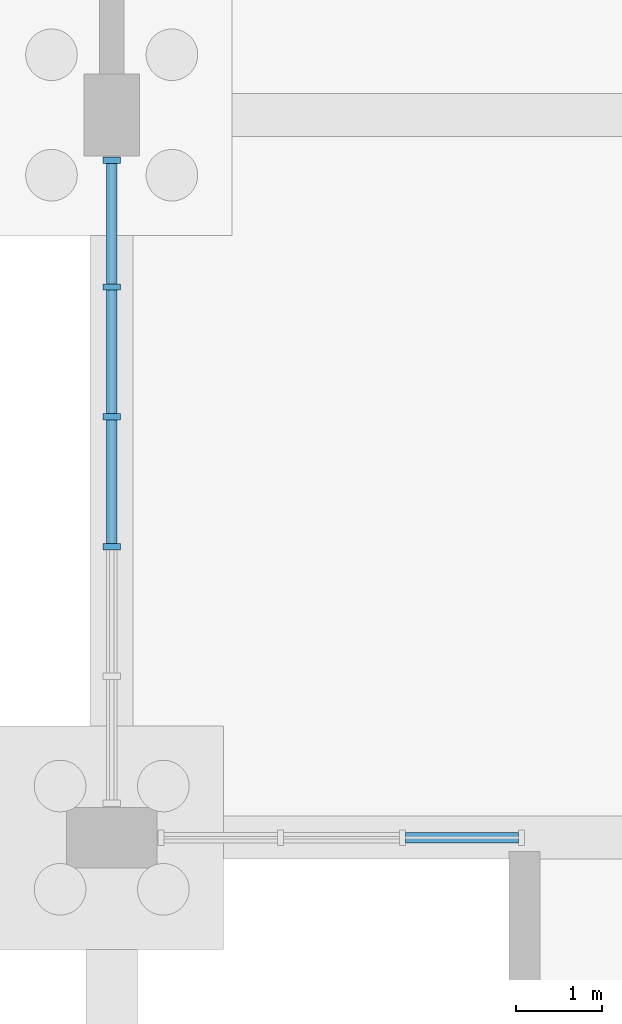
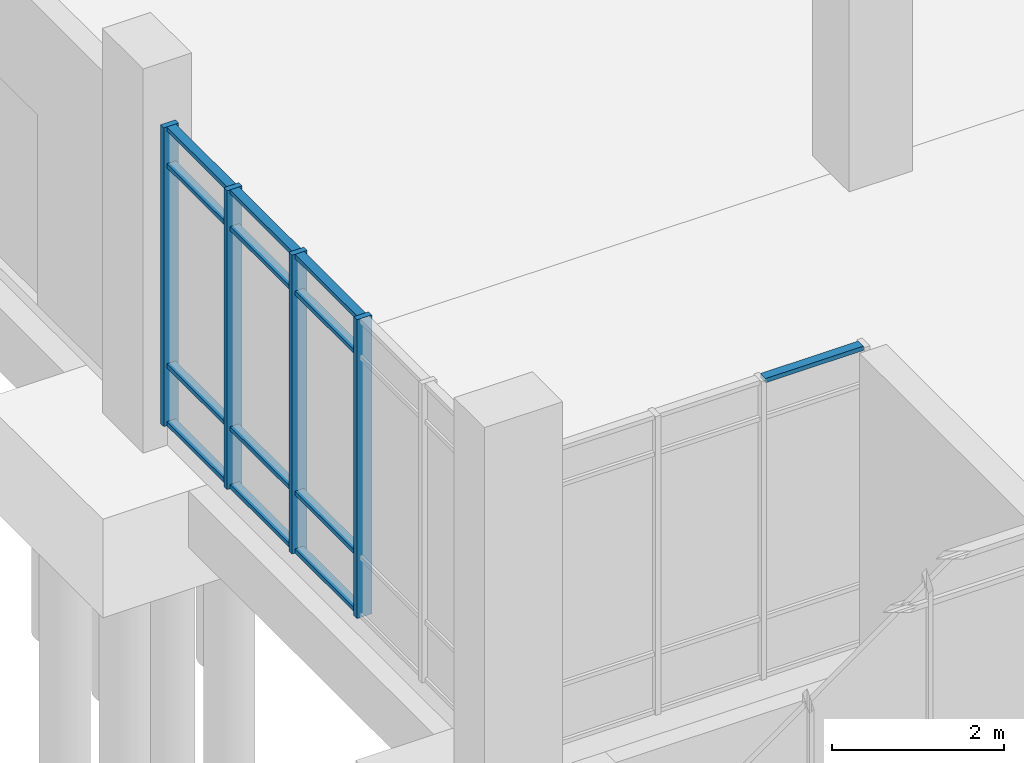
# One storey, part 37 of 136: 17 members, 2 elements without a shape of their own.
"""IFC4 building model written with IfcOpenShell, lengths in metres."""

from ifc_helpers import new_model, si_unit, direction, frame, origin, origin_2d, place, context, subcontext, project, spatial, rectangle, extrude, material, material_profile, profile_set, type_object, element, aggregate, save


model = new_model("IFC4")

# Units and contexts
model_context = context("Model", 3, precision=1e-05, world=origin(), true_north=direction((0.0, 1.0)))
body_context = subcontext(model_context, "Body", "Model", "MODEL_VIEW")
ifc_project = project(units=[si_unit("LENGTHUNIT", "METRE"), si_unit("AREAUNIT", "SQUARE_METRE"), si_unit("VOLUMEUNIT", "CUBIC_METRE"), si_unit("PLANEANGLEUNIT", "RADIAN"), si_unit("MASSUNIT", "GRAM", prefix="KILO")], contexts=[model_context])

# Site, building, storey
site_placement = place(None, origin())
site = spatial("IfcSite", under=ifc_project, at=site_placement, CompositionType="ELEMENT")
building_placement = place(site_placement, origin())
building = spatial("IfcBuilding", under=site, at=building_placement, Name="Oolite Switchyard Hospital", CompositionType="ELEMENT")
storey_placement = place(building_placement, origin())
storey = spatial("IfcBuildingStorey", under=building, at=storey_placement, Name="L00", CompositionType="ELEMENT", Elevation=0.0)

# Curtain wall, members
ifc_material_1 = material(Name="Thermally broken aluminum frame with laminated impact glazing", Category="aluminium")
curtain_wall_type = type_object("IfcCurtainWallType", Name="CW-UNIT-84X51", PredefinedType="USERDEFINED", material=ifc_material_1)
curtain_wall_1_placement = place(storey_placement, origin())
curtain_wall_1 = element("IfcCurtainWall", 1, at=curtain_wall_1_placement, inside=storey, type_object=curtain_wall_type, Name="L00 Unitised Curtain Wall 56", ObjectType="UNITISED", PredefinedType="USERDEFINED")
ifc_material_2 = material(Name="Aluminium 6063-T6", Category="aluminium")
ifc_material_profile_1 = material_profile(ifc_material_2, rectangle(XDim=0.199951171875, YDim=0.074951171875, at=origin_2d()), Name="CWM75X200")
ifc_profile_set_1 = profile_set([ifc_material_profile_1], Name="Aluminium 6063-T6")
member_type_1 = type_object("IfcMemberType", Name="CW-MUL-260", PredefinedType="MULLION", material=ifc_profile_set_1)
member_1_placement = place(storey_placement, frame((0.0, 87.383056640625, 0.0), z_axis=(0.0, 0.0, 1.0), x_axis=(-1.0, 0.0, 0.0)))
member_1 = element("IfcMember", 2, at=member_1_placement, type_object=member_type_1, Name="CW-06 mullion 3", PredefinedType="MULLION", context=body_context, shape_type="SweptSolid", body=[
    extrude(rectangle(XDim=0.199951171875, YDim=0.074951171875, at=origin_2d()), origin(), (0.0, 0.0, 1.0), 4.239990234375),
])
member_2_placement = place(storey_placement, frame((0.0, 88.89208984375, 0.0), z_axis=(0.0, 0.0, 1.0), x_axis=(-1.0, 0.0, 0.0)))
member_2 = element("IfcMember", 3, at=member_2_placement, type_object=member_type_1, Name="CW-06 mullion 4", PredefinedType="MULLION", context=body_context, shape_type="SweptSolid", body=[
    extrude(rectangle(XDim=0.199951171875, YDim=0.074951171875, at=origin_2d()), origin(), (0.0, 0.0, 1.0), 4.239990234375),
])
member_3_placement = place(storey_placement, frame((0.0, 90.40087890625, 0.0), z_axis=(0.0, 0.0, 1.0), x_axis=(-1.0, 0.0, 0.0)))
member_3 = element("IfcMember", 4, at=member_3_placement, type_object=member_type_1, Name="CW-06 mullion 5", PredefinedType="MULLION", context=body_context, shape_type="SweptSolid", body=[
    extrude(rectangle(XDim=0.199951171875, YDim=0.074951171875, at=origin_2d()), origin(), (0.0, 0.0, 1.0), 4.239990234375),
])
member_4_placement = place(storey_placement, frame((0.0, 91.87255859375, 0.0), z_axis=(0.0, 0.0, 1.0), x_axis=(-1.0, 0.0, 0.0)))
member_4 = element("IfcMember", 5, at=member_4_placement, type_object=member_type_1, Name="CW-06 mullion 6", PredefinedType="MULLION", context=body_context, shape_type="SweptSolid", body=[
    extrude(rectangle(XDim=0.199951171875, YDim=0.074951171875, at=origin_2d()), origin(), (0.0, 0.0, 1.0), 4.239990234375),
])

# Curtain wall, member
curtain_wall_2_placement = place(storey_placement, origin())
curtain_wall_2 = element("IfcCurtainWall", 6, at=curtain_wall_2_placement, inside=storey, type_object=curtain_wall_type, Name="L00 Unitised Curtain Wall 28", ObjectType="UNITISED", PredefinedType="USERDEFINED")
ifc_material_profile_2 = material_profile(ifc_material_2, rectangle(XDim=0.1201171875, YDim=0.06005859375, at=origin_2d()), Name="CWT60X120")
ifc_profile_set_2 = profile_set([ifc_material_profile_2], Name="Aluminium 6063-T6")
member_type_2 = type_object("IfcMemberType", Name="CW-TRN-150", PredefinedType="USERDEFINED", material=ifc_profile_set_2)
member_5_placement = place(storey_placement, frame((4.72998046875, 84.0, 4.2099609375), z_axis=(-1.0, 0.0, 0.0), x_axis=(0.0, -1.0, 0.0)))
member_5 = element("IfcMember", 7, at=member_5_placement, type_object=member_type_2, Name="CW-06 transom 1.4", ObjectType="TRANSOM", PredefinedType="USERDEFINED", context=body_context, shape_type="SweptSolid", body=[
    extrude(rectangle(XDim=0.1201171875, YDim=0.06005859375, at=origin_2d()), origin(), (0.0, 0.0, 1.0), 1.31494140625),
])
aggregate(curtain_wall_2, [member_5])

# Member
member_6_placement = place(storey_placement, frame((0.0, 87.42041015625, 0.030029296875), z_axis=(0.0, 1.0, 0.0), x_axis=(-1.0, 0.0, 0.0)))
member_6 = element("IfcMember", 8, at=member_6_placement, type_object=member_type_2, Name="CW-06 transom 3.1", ObjectType="TRANSOM", PredefinedType="USERDEFINED", context=body_context, shape_type="SweptSolid", body=[
    extrude(rectangle(XDim=0.1201171875, YDim=0.06005859375, at=origin_2d()), origin(), (0.0, 0.0, 1.0), 1.43408203125),
])

member_7_placement = place(storey_placement, frame((0.0, 87.42041015625, 0.85009765625), z_axis=(0.0, 1.0, 0.0), x_axis=(-1.0, 0.0, 0.0)))
member_7 = element("IfcMember", 9, at=member_7_placement, type_object=member_type_2, Name="CW-06 transom 3.2", ObjectType="TRANSOM", PredefinedType="USERDEFINED", context=body_context, shape_type="SweptSolid", body=[
    extrude(rectangle(XDim=0.1201171875, YDim=0.06005859375, at=origin_2d()), origin(), (0.0, 0.0, 1.0), 1.43408203125),
])

member_8_placement = place(storey_placement, frame((0.0, 87.42041015625, 3.68994140625), z_axis=(0.0, 1.0, 0.0), x_axis=(-1.0, 0.0, 0.0)))
member_8 = element("IfcMember", 10, at=member_8_placement, type_object=member_type_2, Name="CW-06 transom 3.3", ObjectType="TRANSOM", PredefinedType="USERDEFINED", context=body_context, shape_type="SweptSolid", body=[
    extrude(rectangle(XDim=0.1201171875, YDim=0.06005859375, at=origin_2d()), origin(), (0.0, 0.0, 1.0), 1.43408203125),
])

member_9_placement = place(storey_placement, frame((0.0, 87.42041015625, 4.2099609375), z_axis=(0.0, 1.0, 0.0), x_axis=(-1.0, 0.0, 0.0)))
member_9 = element("IfcMember", 11, at=member_9_placement, type_object=member_type_2, Name="CW-06 transom 3.4", ObjectType="TRANSOM", PredefinedType="USERDEFINED", context=body_context, shape_type="SweptSolid", body=[
    extrude(rectangle(XDim=0.1201171875, YDim=0.06005859375, at=origin_2d()), origin(), (0.0, 0.0, 1.0), 1.43408203125),
])

member_10_placement = place(storey_placement, frame((0.0, 88.929443359375, 0.030029296875), z_axis=(0.0, 1.0, 0.0), x_axis=(-1.0, 0.0, 0.0)))
member_10 = element("IfcMember", 12, at=member_10_placement, type_object=member_type_2, Name="CW-06 transom 4.1", ObjectType="TRANSOM", PredefinedType="USERDEFINED", context=body_context, shape_type="SweptSolid", body=[
    extrude(rectangle(XDim=0.1201171875, YDim=0.06005859375, at=origin_2d()), origin(), (0.0, 0.0, 1.0), 1.43408203125),
])

member_11_placement = place(storey_placement, frame((0.0, 88.929443359375, 0.85009765625), z_axis=(0.0, 1.0, 0.0), x_axis=(-1.0, 0.0, 0.0)))
member_11 = element("IfcMember", 13, at=member_11_placement, type_object=member_type_2, Name="CW-06 transom 4.2", ObjectType="TRANSOM", PredefinedType="USERDEFINED", context=body_context, shape_type="SweptSolid", body=[
    extrude(rectangle(XDim=0.1201171875, YDim=0.06005859375, at=origin_2d()), origin(), (0.0, 0.0, 1.0), 1.43408203125),
])

member_12_placement = place(storey_placement, frame((0.0, 88.929443359375, 3.68994140625), z_axis=(0.0, 1.0, 0.0), x_axis=(-1.0, 0.0, 0.0)))
member_12 = element("IfcMember", 14, at=member_12_placement, type_object=member_type_2, Name="CW-06 transom 4.3", ObjectType="TRANSOM", PredefinedType="USERDEFINED", context=body_context, shape_type="SweptSolid", body=[
    extrude(rectangle(XDim=0.1201171875, YDim=0.06005859375, at=origin_2d()), origin(), (0.0, 0.0, 1.0), 1.43408203125),
])

member_13_placement = place(storey_placement, frame((0.0, 88.929443359375, 4.2099609375), z_axis=(0.0, 1.0, 0.0), x_axis=(-1.0, 0.0, 0.0)))
member_13 = element("IfcMember", 15, at=member_13_placement, type_object=member_type_2, Name="CW-06 transom 4.4", ObjectType="TRANSOM", PredefinedType="USERDEFINED", context=body_context, shape_type="SweptSolid", body=[
    extrude(rectangle(XDim=0.1201171875, YDim=0.06005859375, at=origin_2d()), origin(), (0.0, 0.0, 1.0), 1.43408203125),
])

member_14_placement = place(storey_placement, frame((0.0, 90.4384765625, 0.030029296875), z_axis=(0.0, 1.0, 0.0), x_axis=(-1.0, 0.0, 0.0)))
member_14 = element("IfcMember", 16, at=member_14_placement, type_object=member_type_2, Name="CW-06 transom 5.1", ObjectType="TRANSOM", PredefinedType="USERDEFINED", context=body_context, shape_type="SweptSolid", body=[
    extrude(rectangle(XDim=0.1201171875, YDim=0.06005859375, at=origin_2d()), origin(), (0.0, 0.0, 1.0), 1.396484375),
])

member_15_placement = place(storey_placement, frame((0.0, 90.4384765625, 0.85009765625), z_axis=(0.0, 1.0, 0.0), x_axis=(-1.0, 0.0, 0.0)))
member_15 = element("IfcMember", 17, at=member_15_placement, type_object=member_type_2, Name="CW-06 transom 5.2", ObjectType="TRANSOM", PredefinedType="USERDEFINED", context=body_context, shape_type="SweptSolid", body=[
    extrude(rectangle(XDim=0.1201171875, YDim=0.06005859375, at=origin_2d()), origin(), (0.0, 0.0, 1.0), 1.396484375),
])

member_16_placement = place(storey_placement, frame((0.0, 90.4384765625, 3.68994140625), z_axis=(0.0, 1.0, 0.0), x_axis=(-1.0, 0.0, 0.0)))
member_16 = element("IfcMember", 18, at=member_16_placement, type_object=member_type_2, Name="CW-06 transom 5.3", ObjectType="TRANSOM", PredefinedType="USERDEFINED", context=body_context, shape_type="SweptSolid", body=[
    extrude(rectangle(XDim=0.1201171875, YDim=0.06005859375, at=origin_2d()), origin(), (0.0, 0.0, 1.0), 1.396484375),
])

member_17_placement = place(storey_placement, frame((0.0, 90.4384765625, 4.2099609375), z_axis=(0.0, 1.0, 0.0), x_axis=(-1.0, 0.0, 0.0)))
member_17 = element("IfcMember", 19, at=member_17_placement, type_object=member_type_2, Name="CW-06 transom 5.4", ObjectType="TRANSOM", PredefinedType="USERDEFINED", context=body_context, shape_type="SweptSolid", body=[
    extrude(rectangle(XDim=0.1201171875, YDim=0.06005859375, at=origin_2d()), origin(), (0.0, 0.0, 1.0), 1.396484375),
])

aggregate(curtain_wall_1, [member_1, member_2, member_3, member_4, member_6, member_7, member_8, member_9, member_10, member_11, member_12, member_13, member_14, member_15, member_16, member_17])

save(model, "model.ifc")
